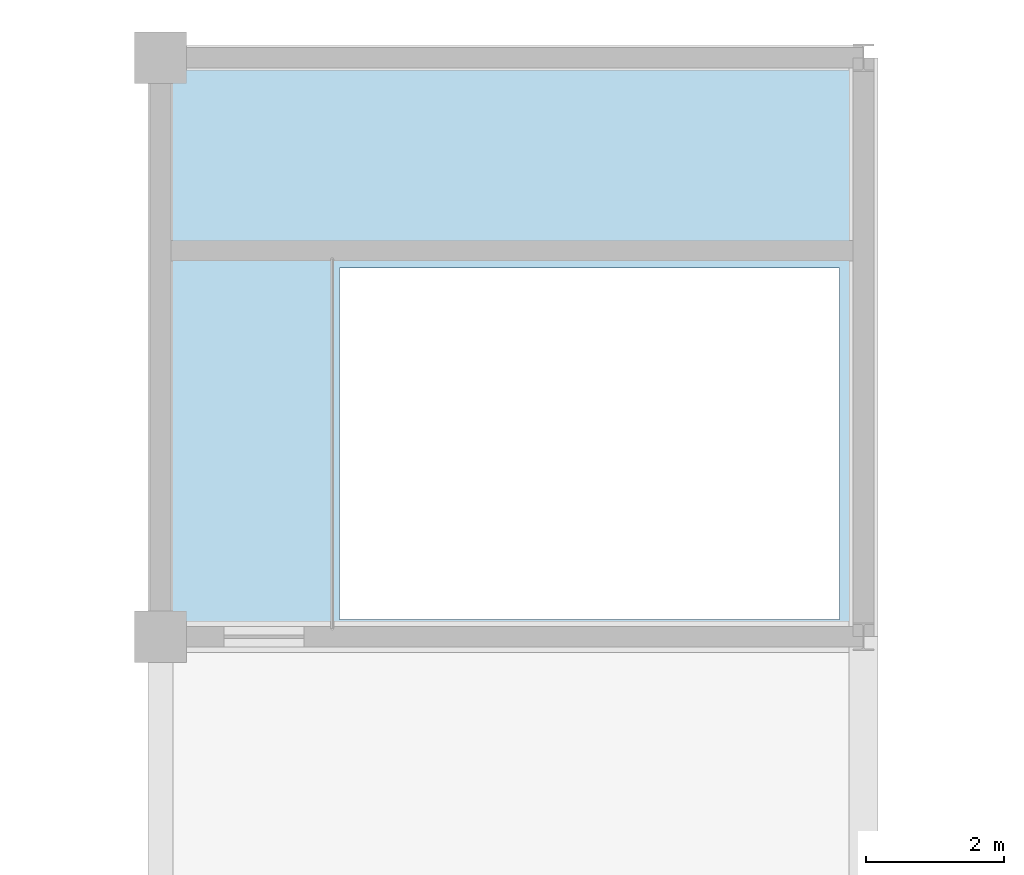
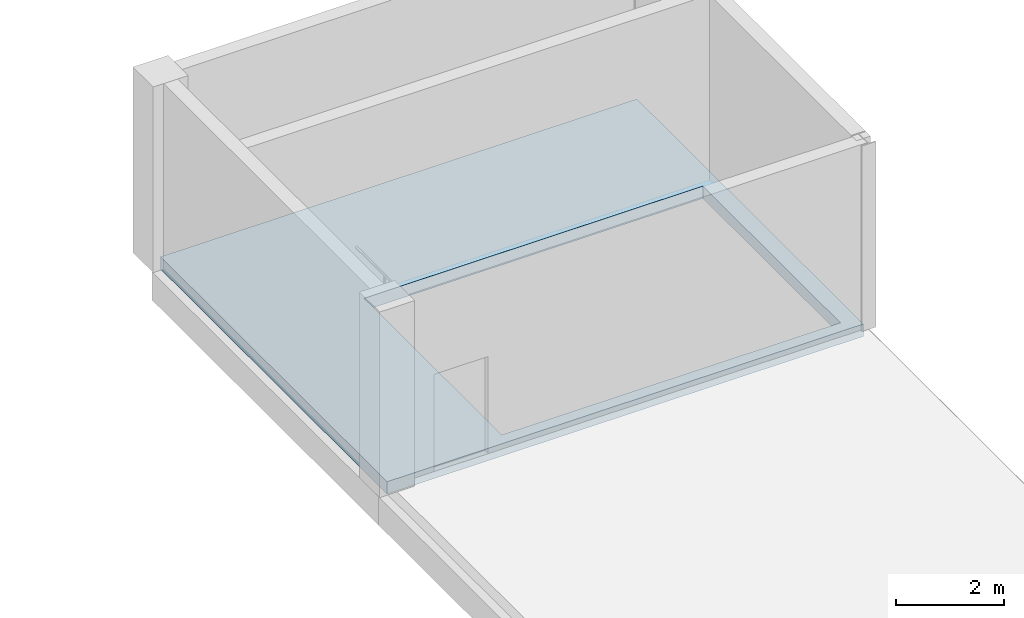
# One storey, part 121 of 157: 1 slab.
"""IFC4 building model written with IfcOpenShell, lengths in metres."""

from ifc_helpers import new_model, si_unit, direction, frame, origin, place, context, subcontext, project, spatial, polyline, outline, extrude, material, layer, layer_set, type_object, element, save


model = new_model("IFC4")

# Units and contexts
model_context = context("Model", 3, precision=1e-05, world=origin(), true_north=direction((0.0, 1.0)))
body_context = subcontext(model_context, "Body", "Model", "MODEL_VIEW")
ifc_project = project(units=[si_unit("LENGTHUNIT", "METRE"), si_unit("AREAUNIT", "SQUARE_METRE"), si_unit("VOLUMEUNIT", "CUBIC_METRE"), si_unit("PLANEANGLEUNIT", "RADIAN"), si_unit("MASSUNIT", "GRAM", prefix="KILO")], contexts=[model_context])

# Site, building, storey
site_placement = place(None, origin())
site = spatial("IfcSite", under=ifc_project, at=site_placement, CompositionType="ELEMENT")
building_placement = place(site_placement, origin())
building = spatial("IfcBuilding", under=site, at=building_placement, Name="Brelvane Convention Centre", CompositionType="ELEMENT")
storey_placement = place(building_placement, frame((0.0, 0.0, 10.800048828125)))
storey = spatial("IfcBuildingStorey", under=building, at=storey_placement, Name="L02", CompositionType="ELEMENT", Elevation=10.800048828125)

# Slab
ifc_material = material(Name="Concrete M40", Category="concrete")
ifc_layer = layer(ifc_material, 0.280029296875)
ifc_layer_set = layer_set([ifc_layer], Name="Concrete M40")
slab_type = type_object("IfcSlabType", Name="Structural Slab SL-FLR-280", PredefinedType="FLOOR", material=ifc_layer_set)
slab_placement = place(storey_placement, frame((0.0, 0.0, -0.280029296875)))
element("IfcSlab", 1, at=slab_placement, inside=storey, type_object=slab_type, Name="L02 Floor Slab BALL-N", PredefinedType="FLOOR", context=body_context, shape_type="SweptSolid", body=[
    extrude(outline(polyline([(163.199951171875, 135.60009765625), (173.39990234375, 135.60009765625), (173.39990234375, 144.0), (163.199951171875, 144.0), (163.199951171875, 135.60009765625)]), holes=[polyline([(165.800048828125, 135.85009765625), (173.050048828125, 135.85009765625), (173.050048828125, 140.949951171875), (165.800048828125, 140.949951171875), (165.800048828125, 135.85009765625)])]), origin(), (0.0, 0.0, 1.0), 0.280029296875),
])

save(model, "model.ifc")
